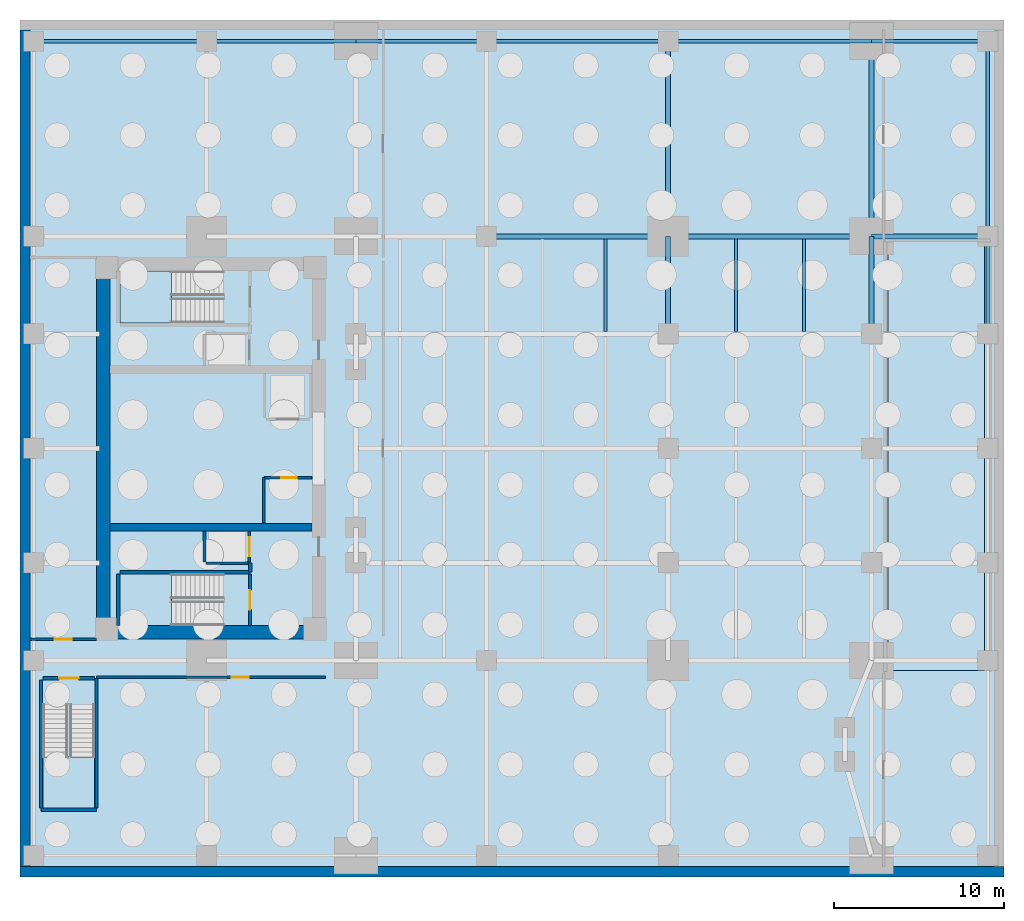
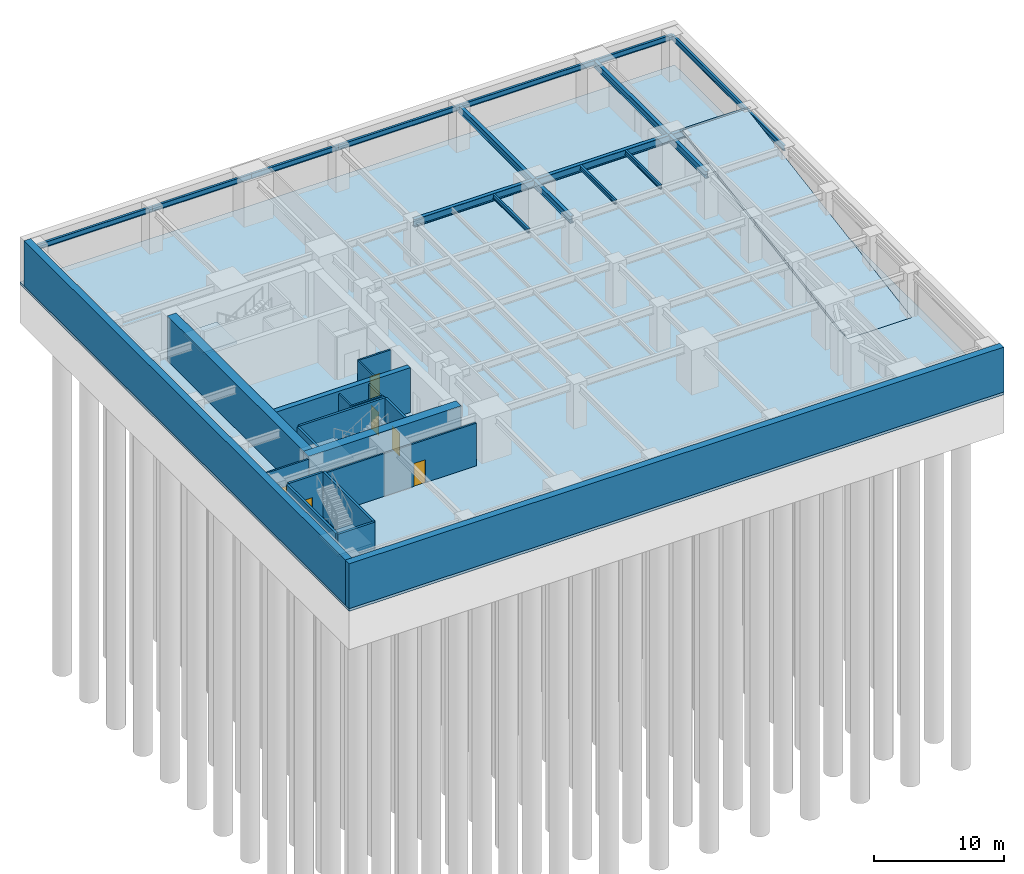
# One storey, part 3 of 6: 20 walls, 18 beams, 6 doors, 5 slabs, 6 openings, 3 elements without a shape of their own.
"""IFC4 building model written with IfcOpenShell, lengths in metres."""

from ifc_helpers import new_model, si_unit, direction, frame, frame_2d, origin, origin_2d, place, context, subcontext, project, spatial, polyline, rectangle, i_section, outline, extrude, material, layer, layer_set, material_profile, profile_set, type_object, element, fill, aggregate, save


model = new_model("IFC4")

# Units and contexts
model_context = context("Model", 3, precision=1e-05, world=origin(), true_north=direction((0.0, 1.0)))
body_context = subcontext(model_context, "Body", "Model", "MODEL_VIEW")
ifc_project = project(units=[si_unit("LENGTHUNIT", "METRE"), si_unit("AREAUNIT", "SQUARE_METRE"), si_unit("VOLUMEUNIT", "CUBIC_METRE"), si_unit("PLANEANGLEUNIT", "RADIAN"), si_unit("MASSUNIT", "GRAM", prefix="KILO")], contexts=[model_context])

# Site, building, storey
site_placement = place(None, origin())
site = spatial("IfcSite", under=ifc_project, at=site_placement, CompositionType="ELEMENT")
building_placement = place(site_placement, origin())
building = spatial("IfcBuilding", under=site, at=building_placement, Name="Kinhvarn Gate Tower", CompositionType="ELEMENT")
storey_placement = place(building_placement, frame((0.0, 0.0, -13.199951171875)))
storey = spatial("IfcBuildingStorey", under=building, at=storey_placement, Name="B03", CompositionType="ELEMENT", Elevation=-13.199951171875)

# Beams
ifc_material_1 = material(Name="Steel S355", Category="steel")
ifc_material_profile_1 = material_profile(ifc_material_1, i_section(OverallWidth=0.300048828125, OverallDepth=0.64990234375, WebThickness=0.01611328125, FlangeThickness=0.031005859375, at=origin_2d()), Name="HEB 650")
ifc_profile_set_1 = profile_set([ifc_material_profile_1], Name="Steel S355")
beam_type_1 = type_object("IfcBeamType", Name="STL-HEB650", PredefinedType="BEAM", material=ifc_profile_set_1)
beam_1_placement = place(storey_placement, frame((50.199951171875, 32.0, 3.675048828125), z_axis=(0.0, 1.0, 0.0), x_axis=(-1.0, 0.0, 0.0)))
element("IfcBeam", 1, at=beam_1_placement, inside=storey, type_object=beam_type_1, Name="Floor Beam PG-17 (B03 APE-5)", PredefinedType="BEAM", context=body_context, shape_type="SweptSolid", body=[
    extrude(i_section(OverallWidth=0.300048828125, OverallDepth=0.64990234375, WebThickness=0.01611328125, FlangeThickness=0.031005859375, at=origin_2d()), origin(), (0.0, 0.0, 1.0), 5.75),
])
for number, where, z_axis, x_axis, name in (
    (2, (50.199951171875, 37.75, 3.675048828125), (0.0, 1.0, 0.0), (-1.0, 0.0, 0.0), "Floor Beam PG-17 (B03 APE-6)"),
    (3, (38.199951171875, 37.75, 3.675048828125), (0.0, 1.0, 0.0), (-1.0, 0.0, 0.0), "Floor Beam PG-17 (B03 NS38-N)"),
):
    element("IfcBeam", number, at=place(storey_placement, frame(where, z_axis=z_axis, x_axis=x_axis)), inside=storey, type_object=beam_type_1, Name=name, PredefinedType="BEAM", context=body_context, shape_type="SweptSolid", body=[
        extrude(i_section(OverallWidth=0.300048828125, OverallDepth=0.64990234375, WebThickness=0.01611328125, FlangeThickness=0.031005859375, at=origin_2d()), origin(), (0.0, 0.0, 1.0), 11.5),
    ])
beam_2_placement = place(storey_placement, frame((38.199951171875, 32.0, 3.675048828125), z_axis=(0.0, 1.0, 0.0), x_axis=(-1.0, 0.0, 0.0)))
element("IfcBeam", 4, at=beam_2_placement, inside=storey, type_object=beam_type_1, Name="Floor Beam PG-17 (B03 NS38-32)", PredefinedType="BEAM", context=body_context, shape_type="SweptSolid", body=[
    extrude(i_section(OverallWidth=0.300048828125, OverallDepth=0.64990234375, WebThickness=0.01611328125, FlangeThickness=0.031005859375, at=origin_2d()), origin(), (0.0, 0.0, 1.0), 5.75),
])
ifc_material_profile_2 = material_profile(ifc_material_1, i_section(OverallWidth=0.300048828125, OverallDepth=0.699951171875, WebThickness=0.01708984375, FlangeThickness=0.031982421875, at=origin_2d()), Name="HEB 700")
ifc_profile_set_2 = profile_set([ifc_material_profile_2], Name="Steel S355")
beam_type_2 = type_object("IfcBeamType", Name="STL-HEB700", PredefinedType="BEAM", material=ifc_profile_set_2)
beam_3_placement = place(storey_placement, frame((50.199951171875, 37.75, 3.64990234375), z_axis=(1.0, 0.0, 0.0), x_axis=(0.0, 1.0, 0.0)))
element("IfcBeam", 5, at=beam_3_placement, inside=storey, type_object=beam_type_2, Name="Floor Beam PG-18 (B03 SPN-E)", PredefinedType="BEAM", context=body_context, shape_type="SweptSolid", body=[
    extrude(i_section(OverallWidth=0.300048828125, OverallDepth=0.699951171875, WebThickness=0.01708984375, FlangeThickness=0.031982421875, at=origin_2d()), origin(), (0.0, 0.0, 1.0), 6.85009765625),
])
beam_4_placement = place(storey_placement, frame((27.5, 37.75, 3.64990234375), z_axis=(1.0, 0.0, 0.0), x_axis=(0.0, 1.0, 0.0)))
element("IfcBeam", 6, at=beam_4_placement, inside=storey, type_object=beam_type_2, Name="Floor Beam PG-18 (B03 BM-N2)", PredefinedType="BEAM", context=body_context, shape_type="SweptSolid", body=[
    extrude(i_section(OverallWidth=0.300048828125, OverallDepth=0.699951171875, WebThickness=0.01708984375, FlangeThickness=0.031982421875, at=origin_2d()), origin(), (0.0, 0.0, 1.0), 10.699951171875),
])
beam_5_placement = place(storey_placement, frame((38.199951171875, 37.75, 3.64990234375), z_axis=(1.0, 0.0, 0.0), x_axis=(0.0, 1.0, 0.0)))
element("IfcBeam", 7, at=beam_5_placement, inside=storey, type_object=beam_type_2, Name="Floor Beam PG-18 (B03 BM-N3)", PredefinedType="BEAM", context=body_context, shape_type="SweptSolid", body=[
    extrude(i_section(OverallWidth=0.300048828125, OverallDepth=0.699951171875, WebThickness=0.01708984375, FlangeThickness=0.031982421875, at=origin_2d()), origin(), (0.0, 0.0, 1.0), 12.0),
])
ifc_material_profile_3 = material_profile(ifc_material_1, i_section(OverallWidth=0.179931640625, OverallDepth=0.39990234375, WebThickness=0.008544921875, FlangeThickness=0.013427734375, at=origin_2d()), Name="IPE 400")
ifc_profile_set_3 = profile_set([ifc_material_profile_3], Name="Steel S355")
beam_type_3 = type_object("IfcBeamType", Name="STL-IPE400", PredefinedType="JOIST", material=ifc_profile_set_3)
for number, where, z_axis, x_axis, name in (
    (8, (34.5, 32.14990234375, 3.800048828125), (0.0, 1.0, 0.0), (-1.0, 0.0, 0.0), "Floor Joist SB-05 (B03 J345-32)"),
    (9, (42.199951171875, 32.14990234375, 3.800048828125), (0.0, 1.0, 0.0), (-1.0, 0.0, 0.0), "Floor Joist SB-05 (B03 J422-32)"),
    (10, (46.199951171875, 32.14990234375, 3.800048828125), (0.0, 1.0, 0.0), (-1.0, 0.0, 0.0), "Floor Joist SB-05 (B03 J462-32)"),
):
    element("IfcBeam", number, at=place(storey_placement, frame(where, z_axis=z_axis, x_axis=x_axis)), inside=storey, type_object=beam_type_3, Name=name, PredefinedType="JOIST", context=body_context, shape_type="SweptSolid", body=[
        extrude(i_section(OverallWidth=0.179931640625, OverallDepth=0.39990234375, WebThickness=0.008544921875, FlangeThickness=0.013427734375, at=origin_2d()), origin(), (0.0, 0.0, 1.0), 5.4501953125),
    ])
ifc_material_profile_4 = material_profile(ifc_material_1, i_section(OverallWidth=0.199951171875, OverallDepth=0.5, WebThickness=0.01025390625, FlangeThickness=0.01611328125, at=origin_2d()), Name="IPE 500")
ifc_profile_set_4 = profile_set([ifc_material_profile_4], Name="Steel S355")
beam_type_4 = type_object("IfcBeamType", Name="STL-IPE500", PredefinedType="SPANDREL", material=ifc_profile_set_4)
beam_6_placement = place(storey_placement, frame((57.050048828125, 32.0, 3.75), z_axis=(0.0, 1.0, 0.0), x_axis=(-1.0, 0.0, 0.0)))
element("IfcBeam", 11, at=beam_6_placement, inside=storey, type_object=beam_type_4, Name="Floor Spandrel SB-07 (B03 PERE-5)", PredefinedType="SPANDREL", context=body_context, shape_type="SweptSolid", body=[
    extrude(i_section(OverallWidth=0.199951171875, OverallDepth=0.5, WebThickness=0.01025390625, FlangeThickness=0.01611328125, at=origin_2d()), origin(), (0.0, 0.0, 1.0), 5.75),
])
beam_7_placement = place(storey_placement, frame((57.050048828125, 37.75, 3.75), z_axis=(0.0, 1.0, 0.0), x_axis=(-1.0, 0.0, 0.0)))
element("IfcBeam", 12, at=beam_7_placement, inside=storey, type_object=beam_type_4, Name="Floor Spandrel SB-07 (B03 PERE-6)", PredefinedType="SPANDREL", context=body_context, shape_type="SweptSolid", body=[
    extrude(i_section(OverallWidth=0.199951171875, OverallDepth=0.5, WebThickness=0.01025390625, FlangeThickness=0.01611328125, at=origin_2d()), origin(), (0.0, 0.0, 1.0), 11.5),
])
beam_8_placement = place(storey_placement, frame((0.800048828125, 49.25, 3.75), z_axis=(1.0, 0.0, 0.0), x_axis=(0.0, 1.0, 0.0)))
element("IfcBeam", 13, at=beam_8_placement, inside=storey, type_object=beam_type_4, Name="Floor Spandrel SB-07 (B03 SP-POD-NW1)", PredefinedType="SPANDREL", context=body_context, shape_type="SweptSolid", body=[
    extrude(i_section(OverallWidth=0.199951171875, OverallDepth=0.5, WebThickness=0.01025390625, FlangeThickness=0.01611328125, at=origin_2d()), origin(), (0.0, 0.0, 1.0), 10.199951171875),
])
beam_9_placement = place(storey_placement, frame((11.0, 49.25, 3.75), z_axis=(1.0, 0.0, 0.0), x_axis=(0.0, 1.0, 0.0)))
element("IfcBeam", 14, at=beam_9_placement, inside=storey, type_object=beam_type_4, Name="Floor Spandrel SB-07 (B03 SP-POD-NW2)", PredefinedType="SPANDREL", context=body_context, shape_type="SweptSolid", body=[
    extrude(i_section(OverallWidth=0.199951171875, OverallDepth=0.5, WebThickness=0.01025390625, FlangeThickness=0.01611328125, at=origin_2d()), origin(), (0.0, 0.0, 1.0), 8.800048828125),
])
beam_10_placement = place(storey_placement, frame((50.199951171875, 49.25, 3.75), z_axis=(1.0, 0.0, 0.0), x_axis=(0.0, 1.0, 0.0)))
element("IfcBeam", 15, at=beam_10_placement, inside=storey, type_object=beam_type_4, Name="Floor Spandrel SB-07 (B03 SP-POD-NE)", PredefinedType="SPANDREL", context=body_context, shape_type="SweptSolid", body=[
    extrude(i_section(OverallWidth=0.199951171875, OverallDepth=0.5, WebThickness=0.01025390625, FlangeThickness=0.01611328125, at=origin_2d()), origin(), (0.0, 0.0, 1.0), 6.85009765625),
])
beam_11_placement = place(storey_placement, frame((19.800048828125, 49.25, 3.75), z_axis=(1.0, 0.0, 0.0), x_axis=(0.0, 1.0, 0.0)))
element("IfcBeam", 16, at=beam_11_placement, inside=storey, type_object=beam_type_4, Name="Floor Spandrel SB-07 (B03 BN-SP1)", PredefinedType="SPANDREL", context=body_context, shape_type="SweptSolid", body=[
    extrude(i_section(OverallWidth=0.199951171875, OverallDepth=0.5, WebThickness=0.01025390625, FlangeThickness=0.01611328125, at=origin_2d()), origin(), (0.0, 0.0, 1.0), 7.699951171875),
])
beam_12_placement = place(storey_placement, frame((27.5, 49.25, 3.75), z_axis=(1.0, 0.0, 0.0), x_axis=(0.0, 1.0, 0.0)))
element("IfcBeam", 17, at=beam_12_placement, inside=storey, type_object=beam_type_4, Name="Floor Spandrel SB-07 (B03 BN-SP2)", PredefinedType="SPANDREL", context=body_context, shape_type="SweptSolid", body=[
    extrude(i_section(OverallWidth=0.199951171875, OverallDepth=0.5, WebThickness=0.01025390625, FlangeThickness=0.01611328125, at=origin_2d()), origin(), (0.0, 0.0, 1.0), 10.699951171875),
])
beam_13_placement = place(storey_placement, frame((38.199951171875, 49.25, 3.75), z_axis=(1.0, 0.0, 0.0), x_axis=(0.0, 1.0, 0.0)))
element("IfcBeam", 18, at=beam_13_placement, inside=storey, type_object=beam_type_4, Name="Floor Spandrel SB-07 (B03 BN-SP3)", PredefinedType="SPANDREL", context=body_context, shape_type="SweptSolid", body=[
    extrude(i_section(OverallWidth=0.199951171875, OverallDepth=0.5, WebThickness=0.01025390625, FlangeThickness=0.01611328125, at=origin_2d()), origin(), (0.0, 0.0, 1.0), 12.0),
])

# Slabs
ifc_material_2 = material(Name="Concrete C40/50", Category="concrete")
ifc_layer_1 = layer(ifc_material_2, 0.25)
ifc_layer_set_1 = layer_set([ifc_layer_1], Name="Concrete C40/50")
slab_type_1 = type_object("IfcSlabType", Name="SLB-BASE-250", PredefinedType="BASESLAB", material=ifc_layer_set_1)
slab_1_placement = place(storey_placement, frame((0.0, 0.0, -0.25)))
element("IfcSlab", 19, at=slab_1_placement, inside=storey, type_object=slab_type_1, Name="Basement B03 Structural Base Slab BS-250 (250 mm)", PredefinedType="BASESLAB", context=body_context, shape_type="SweptSolid", body=[
    extrude(outline(polyline([(0.0, 0.0), (58.0, 0.0), (58.0, 50.5), (0.0, 50.5), (0.0, 0.0)]), holes=[polyline([(51.14990234375, 12.14990234375), (56.85009765625, 12.14990234375), (56.85009765625, 13.719970703125), (51.14990234375, 13.719970703125), (51.14990234375, 12.14990234375)])]), origin(), (0.0, 0.0, 1.0), 0.25),
])
ifc_material_3 = material(Name="Concrete C50/60", Category="concrete")
ifc_layer_2 = layer(ifc_material_3, 0.25)
ifc_layer_set_2 = layer_set([ifc_layer_2], Name="Concrete C50/60")
slab_type_2 = type_object("IfcSlabType", Name="SLB-RMP-250", PredefinedType="FLOOR", material=ifc_layer_set_2)
slab_2_placement = place(storey_placement, frame((51.14990234375, 12.14990234375, 0.0), z_axis=(0.0, -0.16376448943, 0.986499463762), x_axis=(1.0, 0.0, 0.0)))
element("IfcSlab", 20, at=slab_2_placement, inside=storey, type_object=slab_type_2, Name="Basement Car Park Vehicle Ramp Slab VR-01 (B03)", PredefinedType="FLOOR", context=body_context, shape_type="SweptSolid", body=[
    extrude(outline(polyline([(0.0, 0.0), (5.7001953125, 0.0), (5.7001953125, 25.646240234375), (0.0, 25.646240234375), (0.0, 0.0)])), origin(), (0.0, 0.0, -1.0), 0.25),
])

# Stair, slab
stair_type = type_object("IfcStairType", Name="STR-DLG-175", PredefinedType="HALF_TURN_STAIR", material=ifc_material_2)
stair_1_placement = place(storey_placement, origin())
stair_1 = element("IfcStair", 21, at=stair_1_placement, inside=storey, type_object=stair_type, Name="B03 Core Smokeproof Exit Stair ST1", PredefinedType="HALF_TURN_STAIR")
ifc_layer_3 = layer(ifc_material_2, 0.199951171875)
ifc_layer_set_3 = layer_set([ifc_layer_3], Name="Concrete C40/50")
slab_type_3 = type_object("IfcSlabType", Name="SLB-ST-LND", PredefinedType="LANDING", material=ifc_layer_set_3)
slab_3_placement = place(storey_placement, frame((0.0, 0.0, 1.89990234375)))
slab_3 = element("IfcSlab", 22, at=slab_3_placement, type_object=slab_type_3, Name="ST1 landing 1", PredefinedType="LANDING", context=body_context, shape_type="SweptSolid", body=[
    extrude(outline(polyline([(8.919921875, 17.85009765625), (5.89990234375, 17.85009765625), (5.89990234375, 14.800048828125), (8.919921875, 14.800048828125), (8.919921875, 17.85009765625)])), origin(), (0.0, 0.0, 1.0), 0.199951171875),
])
aggregate(stair_1, [slab_3])

stair_2_placement = place(storey_placement, origin())
stair_2 = element("IfcStair", 23, at=stair_2_placement, inside=storey, type_object=stair_type, Name="B03 Core Smokeproof Exit Stair ST2", PredefinedType="HALF_TURN_STAIR")
slab_4_placement = place(storey_placement, frame((0.0, 0.0, 1.89990234375)))
slab_4 = element("IfcSlab", 24, at=slab_4_placement, type_object=slab_type_3, Name="ST2 landing 1", PredefinedType="LANDING", context=body_context, shape_type="SweptSolid", body=[
    extrude(outline(polyline([(8.919921875, 35.699951171875), (5.89990234375, 35.699951171875), (5.89990234375, 32.64990234375), (8.919921875, 32.64990234375), (8.919921875, 35.699951171875)])), origin(), (0.0, 0.0, 1.0), 0.199951171875),
])
aggregate(stair_2, [slab_4])

stair_3_placement = place(storey_placement, origin())
stair_3 = element("IfcStair", 25, at=stair_3_placement, inside=storey, type_object=stair_type, Name="B03 Podium & Basement Protected Exit Stair ST3", PredefinedType="HALF_TURN_STAIR")
slab_5_placement = place(storey_placement, frame((0.0, 0.0, 1.89990234375)))
slab_5 = element("IfcSlab", 26, at=slab_5_placement, type_object=slab_type_3, Name="ST3 landing 1", PredefinedType="LANDING", context=body_context, shape_type="SweptSolid", body=[
    extrude(outline(polyline([(1.35009765625, 7.070068359375), (1.35009765625, 4.050048828125), (4.39990234375, 4.050048828125), (4.39990234375, 7.070068359375), (1.35009765625, 7.070068359375)])), origin(), (0.0, 0.0, 1.0), 0.199951171875),
])
aggregate(stair_3, [slab_5])

# Walls
ifc_layer_4 = layer(ifc_material_3, 0.449951171875)
ifc_layer_set_4 = layer_set([ifc_layer_4], Name="Concrete C50/60")
wall_type_1 = type_object("IfcWallType", Name="WL-CORE-450", PredefinedType="SHEAR", material=ifc_layer_set_4)
wall_1_placement = place(storey_placement, frame((5.300048828125, 20.60009765625, 0.0), z_axis=(0.0, 0.0, 1.0), x_axis=(1.0, 0.0, 0.0)))
element("IfcWall", 27, at=wall_1_placement, inside=storey, type_object=wall_type_1, Name="Core South Spine Shear Wall B03 450 mm", PredefinedType="SHEAR", context=body_context, shape_type="SweptSolid", body=[
    extrude(rectangle(XDim=11.89990234375, YDim=0.449951171875, at=frame_2d((5.949951171875, 0.0))), origin(), (0.0, 0.0, 1.0), 4.199951171875),
])
ifc_material_4 = material(Name="Concrete C70/85", Category="concrete")
ifc_layer_5 = layer(ifc_material_4, 0.800048828125)
ifc_layer_set_5 = layer_set([ifc_layer_5], Name="Concrete C70/85")
wall_type_2 = type_object("IfcWallType", Name="WL-CORE-800", PredefinedType="SHEAR", material=ifc_layer_set_5)
wall_2_placement = place(storey_placement, frame((4.5, 14.39990234375, 0.0), z_axis=(0.0, 0.0, 1.0), x_axis=(1.0, 0.0, 0.0)))
element("IfcWall", 28, at=wall_2_placement, inside=storey, type_object=wall_type_2, Name="Core South Shear Wall B03 800 mm", PredefinedType="SHEAR", context=body_context, shape_type="SweptSolid", body=[
    extrude(rectangle(XDim=13.5, YDim=0.800048828125, at=frame_2d((6.75, 0.0))), origin(), (0.0, 0.0, 1.0), 4.199951171875),
])
wall_3_placement = place(storey_placement, frame((4.89990234375, 14.800048828125, 0.0), z_axis=(0.0, 0.0, 1.0), x_axis=(0.0, 1.0, 0.0)))
element("IfcWall", 29, at=wall_3_placement, inside=storey, type_object=wall_type_2, Name="Core West Shear Wall B03 800 mm", PredefinedType="SHEAR", context=body_context, shape_type="SweptSolid", body=[
    extrude(rectangle(XDim=20.89990234375, YDim=0.800048828125, at=frame_2d((10.449951171875, 0.0))), origin(), (0.0, 0.0, 1.0), 4.199951171875),
])
ifc_material_5 = material(Name="Gypsum acoustic partition board")
ifc_layer_6 = layer(ifc_material_5, 0.14990234375)
ifc_layer_set_6 = layer_set([ifc_layer_6], Name="Gypsum acoustic partition board")
wall_type_3 = type_object("IfcWallType", Name="WL-PRT-150F", PredefinedType="PARTITIONING", material=ifc_layer_set_6)
wall_4_placement = place(storey_placement, frame((14.3798828125, 20.85009765625, 0.0), z_axis=(0.0, 0.0, 1.0), x_axis=(0.0, 1.0, 0.0)))
element("IfcWall", 30, at=wall_4_placement, inside=storey, type_object=wall_type_3, Name="Interior Partition PW-150F (B03)", PredefinedType="PARTITIONING", context=body_context, shape_type="SweptSolid", body=[
    extrude(rectangle(XDim=2.669921875, YDim=0.14990234375, at=frame_2d((1.3349609375, 0.0))), origin(), (0.0, 0.0, 1.0), 4.0),
])

# Wall, opening, door
wall_5_placement = place(storey_placement, frame((14.3798828125, 23.52001953125, 0.0), z_axis=(0.0, 0.0, 1.0), x_axis=(1.0, 0.0, 0.0)))
wall_5 = element("IfcWall", 31, at=wall_5_placement, inside=storey, type_object=wall_type_3, Name="Interior Partition PW-150F (B03)", PredefinedType="PARTITIONING", context=body_context, shape_type="SweptSolid", body=[
    extrude(rectangle(XDim=2.840087890625, YDim=0.14990234375, at=frame_2d((1.419921875, 0.0))), origin(), (0.0, 0.0, 1.0), 4.0),
])
opening_1_placement = place(wall_5_placement, frame((1.02685546875, 0.0, 0.0)))
opening_1 = element("IfcOpeningElement", 32, at=opening_1_placement, cuts=wall_5, Name="Opening FD-04", PredefinedType="OPENING", context=body_context, shape_type="SweptSolid", body=[
    extrude(rectangle(XDim=0.89990234375, YDim=2.10009765625, at=frame_2d((0.449951171875, 1.050048828125))), frame((0.0, 0.0849609375, 0.0), z_axis=(0.0, -1.0, 0.0), x_axis=(1.0, 0.0, 0.0)), (0.0, 0.0, 1.0), 0.169921875),
])
ifc_material_6 = material(Name="Anodised aluminium AW-6063", Category="aluminium")
door_type_1 = type_object("IfcDoorType", Name="DR-FD-900", OperationType="NOTDEFINED", PredefinedType="DOOR", material=ifc_material_6)
door_1_placement = place(opening_1_placement, origin())
door_1 = element("IfcDoor", 33, at=door_1_placement, inside=storey, type_object=door_type_1, Name="Rated Riser & Service Closet Fire Door 900x2100 mm (B03)", OperationType="SINGLE_SWING_RIGHT", OverallHeight=2.10009765625, OverallWidth=0.89990234375, PredefinedType="DOOR", context=body_context, shape_type="SweptSolid", body=[
    extrude(rectangle(XDim=0.89990234375, YDim=2.10009765625, at=frame_2d((0.449951171875, 1.050048828125))), frame((0.0, 0.02490234375, 0.0), z_axis=(0.0, -1.0, 0.0), x_axis=(1.0, 0.0, 0.0)), (0.0, 0.0, 1.0), 0.050048828125),
])
fill(opening_1, door_1)

wall_6_placement = place(storey_placement, frame((4.52001953125, 11.75, 0.0), z_axis=(0.0, 0.0, 1.0), x_axis=(1.0, 0.0, 0.0)))
wall_6 = element("IfcWall", 34, at=wall_6_placement, inside=storey, type_object=wall_type_3, Name="Interior Partition PW-150F (B03)", PredefinedType="PARTITIONING", context=body_context, shape_type="SweptSolid", body=[
    extrude(rectangle(XDim=13.47998046875, YDim=0.14990234375, at=frame_2d((6.739990234375, 0.0))), origin(), (0.0, 0.0, 1.0), 4.0),
])
opening_2_placement = place(wall_6_placement, frame((7.9609375, 0.0, 0.0)))
opening_2 = element("IfcOpeningElement", 35, at=opening_2_placement, cuts=wall_6, Name="Opening FD-03", PredefinedType="OPENING", context=body_context, shape_type="SweptSolid", body=[
    extrude(rectangle(XDim=1.0, YDim=2.14990234375, at=frame_2d((0.5, 1.074951171875))), frame((0.0, 0.0849609375, 0.0), z_axis=(0.0, -1.0, 0.0), x_axis=(1.0, 0.0, 0.0)), (0.0, 0.0, 1.0), 0.169921875),
])
door_type_2 = type_object("IfcDoorType", Name="DR-FD-1000", OperationType="NOTDEFINED", PredefinedType="DOOR", material=ifc_material_6)
door_2_placement = place(opening_2_placement, origin())
door_2 = element("IfcDoor", 36, at=door_2_placement, inside=storey, type_object=door_type_2, Name="Rated Plant & Corridor Fire Door 1000x2150 mm (B03)", OperationType="SINGLE_SWING_RIGHT", OverallHeight=2.14990234375, OverallWidth=1.0, PredefinedType="DOOR", context=body_context, shape_type="SweptSolid", body=[
    extrude(rectangle(XDim=1.0, YDim=2.14990234375, at=frame_2d((0.5, 1.074951171875))), frame((0.0, 0.02490234375, 0.0), z_axis=(0.0, -1.0, 0.0), x_axis=(1.0, 0.0, 0.0)), (0.0, 0.0, 1.0), 0.050048828125),
])
fill(opening_2, door_2)

wall_7_placement = place(storey_placement, frame((0.60009765625, 14.0, 0.0), z_axis=(0.0, 0.0, 1.0), x_axis=(1.0, 0.0, 0.0)))
wall_7 = element("IfcWall", 37, at=wall_7_placement, inside=storey, type_object=wall_type_3, Name="Interior Partition PW-150F (B03)", PredefinedType="PARTITIONING", context=body_context, shape_type="SweptSolid", body=[
    extrude(rectangle(XDim=3.89990234375, YDim=0.14990234375, at=frame_2d((1.949951171875, 0.0))), origin(), (0.0, 0.0, 1.0), 4.0),
])
opening_3_placement = place(wall_7_placement, frame((1.449951171875, 0.0, 0.0)))
opening_3 = element("IfcOpeningElement", 38, at=opening_3_placement, cuts=wall_7, Name="Opening FD-03", PredefinedType="OPENING", context=body_context, shape_type="SweptSolid", body=[
    extrude(rectangle(XDim=1.0, YDim=2.14990234375, at=frame_2d((0.5, 1.074951171875))), frame((0.0, 0.0849609375, 0.0), z_axis=(0.0, -1.0, 0.0), x_axis=(1.0, 0.0, 0.0)), (0.0, 0.0, 1.0), 0.169921875),
])
door_3_placement = place(opening_3_placement, origin())
door_3 = element("IfcDoor", 39, at=door_3_placement, inside=storey, type_object=door_type_2, Name="Rated Plant & Corridor Fire Door 1000x2150 mm (B03)", OperationType="SINGLE_SWING_LEFT", OverallHeight=2.14990234375, OverallWidth=1.0, PredefinedType="DOOR", context=body_context, shape_type="SweptSolid", body=[
    extrude(rectangle(XDim=1.0, YDim=2.14990234375, at=frame_2d((0.5, 1.074951171875))), frame((0.0, 0.02490234375, 0.0), z_axis=(0.0, -1.0, 0.0), x_axis=(1.0, 0.0, 0.0)), (0.0, 0.0, 1.0), 0.050048828125),
])
fill(opening_3, door_3)

# Walls
ifc_layer_7 = layer(ifc_material_5, 0.199951171875)
ifc_layer_set_7 = layer_set([ifc_layer_7], Name="Gypsum acoustic partition board")
wall_type_4 = type_object("IfcWallType", Name="WL-PRT-200", PredefinedType="PARTITIONING", material=ifc_layer_set_7)
wall_8_placement = place(storey_placement, frame((13.580078125, 17.9599609375, 0.0), z_axis=(0.0, 0.0, 1.0), x_axis=(0.0, 1.0, 0.0)))
element("IfcWall", 40, at=wall_8_placement, inside=storey, type_object=wall_type_4, Name="Interior Partition PW-200 (B03)", PredefinedType="PARTITIONING", context=body_context, shape_type="SweptSolid", body=[
    extrude(rectangle(XDim=0.5400390625, YDim=0.199951171875, at=frame_2d((0.27001953125, 0.0))), origin(), (0.0, 0.0, 1.0), 4.0),
])
ifc_layer_8 = layer(ifc_material_3, 0.60009765625)
ifc_layer_set_8 = layer_set([ifc_layer_8], Name="Concrete C50/60")
wall_type_5 = type_object("IfcWallType", Name="WL-RET-600", PredefinedType="USERDEFINED", material=ifc_layer_set_8)
wall_9_placement = place(storey_placement, frame((0.0, 0.300048828125, 0.0), z_axis=(0.0, 0.0, 1.0), x_axis=(1.0, 0.0, 0.0)))
element("IfcWall", 41, at=wall_9_placement, inside=storey, type_object=wall_type_5, Name="South Diaphragm Retaining Wall B03 600 mm", ObjectType="RETAININGWALL", PredefinedType="USERDEFINED", context=body_context, shape_type="SweptSolid", body=[
    extrude(rectangle(XDim=58.0, YDim=0.60009765625, at=frame_2d((29.0, 0.0))), origin(), (0.0, 0.0, 1.0), 4.199951171875),
])
wall_10_placement = place(storey_placement, frame((0.300048828125, 0.60009765625, 0.0), z_axis=(0.0, 0.0, 1.0), x_axis=(0.0, 1.0, 0.0)))
element("IfcWall", 42, at=wall_10_placement, inside=storey, type_object=wall_type_5, Name="West Diaphragm Retaining Wall B03 600 mm", ObjectType="RETAININGWALL", PredefinedType="USERDEFINED", context=body_context, shape_type="SweptSolid", body=[
    extrude(rectangle(XDim=49.2998046875, YDim=0.60009765625, at=frame_2d((24.64990234375, 0.0))), origin(), (0.0, 0.0, 1.0), 4.199951171875),
])
ifc_layer_9 = layer(ifc_material_5, 0.14990234375)
ifc_layer_set_9 = layer_set([ifc_layer_9], Name="Gypsum acoustic partition board")
wall_type_6 = type_object("IfcWallType", Name="WL-SHF-150", PredefinedType="PARTITIONING", material=ifc_layer_set_9)
wall_11_placement = place(storey_placement, frame((10.949951171875, 18.47509765625, 0.0), z_axis=(0.0, 0.0, 1.0), x_axis=(1.0, 0.0, 0.0)))
element("IfcWall", 43, at=wall_11_placement, inside=storey, type_object=wall_type_6, Name="Elevator FF1 Hoistway Wall S (B03)", PredefinedType="PARTITIONING", context=body_context, shape_type="SweptSolid", body=[
    extrude(rectangle(XDim=2.5, YDim=0.14990234375, at=frame_2d((1.25, 0.0))), origin(), (0.0, 0.0, 1.0), 4.0),
])
wall_12_placement = place(storey_placement, frame((10.875, 18.550048828125, 0.0), z_axis=(0.0, 0.0, 1.0), x_axis=(0.0, 1.0, 0.0)))
element("IfcWall", 44, at=wall_12_placement, inside=storey, type_object=wall_type_6, Name="Elevator FF1 Hoistway Wall W (B03)", PredefinedType="PARTITIONING", context=body_context, shape_type="SweptSolid", body=[
    extrude(rectangle(XDim=1.800048828125, YDim=0.14990234375, at=frame_2d((0.89990234375, 0.0))), origin(), (0.0, 0.0, 1.0), 4.0),
])

# Wall, opening, door
wall_13_placement = place(storey_placement, frame((13.52490234375, 18.550048828125, 0.0), z_axis=(0.0, 0.0, 1.0), x_axis=(0.0, 1.0, 0.0)))
wall_13 = element("IfcWall", 45, at=wall_13_placement, inside=storey, type_object=wall_type_6, Name="Elevator FF1 Landing Wall (B03)", PredefinedType="PARTITIONING", context=body_context, shape_type="SweptSolid", body=[
    extrude(rectangle(XDim=1.800048828125, YDim=0.14990234375, at=frame_2d((0.89990234375, 0.0))), origin(), (0.0, 0.0, 1.0), 4.0),
])
opening_4_placement = place(wall_13_placement, frame((0.35009765625, 0.0, 0.0)))
opening_4 = element("IfcOpeningElement", 46, at=opening_4_placement, cuts=wall_13, Name="Opening LD-03", PredefinedType="OPENING", context=body_context, shape_type="SweptSolid", body=[
    extrude(rectangle(XDim=1.10009765625, YDim=2.199951171875, at=frame_2d((0.550048828125, 1.10009765625))), frame((0.0, 0.0849609375, 0.0), z_axis=(0.0, -1.0, 0.0), x_axis=(1.0, 0.0, 0.0)), (0.0, 0.0, 1.0), 0.169921875),
])
door_type_3 = type_object("IfcDoorType", Name="DR-LND-FF", OperationType="NOTDEFINED", PredefinedType="DOOR", material=ifc_material_6)
door_4_placement = place(opening_4_placement, origin())
door_4 = element("IfcDoor", 47, at=door_4_placement, inside=storey, type_object=door_type_3, Name="Elevator FF1 Sliding Landing Door (B03)", OperationType="DOUBLE_DOOR_SLIDING", OverallHeight=2.199951171875, OverallWidth=1.10009765625, PredefinedType="DOOR", context=body_context, shape_type="SweptSolid", body=[
    extrude(rectangle(XDim=1.10009765625, YDim=2.199951171875, at=frame_2d((0.550048828125, 1.10009765625))), frame((0.0, 0.02490234375, 0.0), z_axis=(0.0, -1.0, 0.0), x_axis=(1.0, 0.0, 0.0)), (0.0, 0.0, 1.0), 0.050048828125),
])
fill(opening_4, door_4)

# Walls
ifc_layer_10 = layer(ifc_material_2, 0.199951171875)
ifc_layer_set_10 = layer_set([ifc_layer_10], Name="Concrete C40/50")
wall_type_7 = type_object("IfcWallType", Name="WL-SHF-200", PredefinedType="SOLIDWALL", material=ifc_layer_set_10)
wall_14_placement = place(storey_placement, frame((5.7900390625, 14.800048828125, 0.0), z_axis=(0.0, 0.0, 1.0), x_axis=(0.0, 1.0, 0.0)))
element("IfcWall", 48, at=wall_14_placement, inside=storey, type_object=wall_type_7, Name="Stair ST1 West Shaft Wall (B03)", PredefinedType="SOLIDWALL", context=body_context, shape_type="SweptSolid", body=[
    extrude(rectangle(XDim=3.050048828125, YDim=0.199951171875, at=frame_2d((1.52490234375, 0.0))), origin(), (0.0, 0.0, 1.0), 4.199951171875),
])
wall_15_placement = place(storey_placement, frame((5.89990234375, 17.9599609375, 0.0), z_axis=(0.0, 0.0, 1.0), x_axis=(1.0, 0.0, 0.0)))
element("IfcWall", 49, at=wall_15_placement, inside=storey, type_object=wall_type_7, Name="Stair ST1 North Shaft Wall (B03)", PredefinedType="SOLIDWALL", context=body_context, shape_type="SweptSolid", body=[
    extrude(rectangle(XDim=7.66015625, YDim=0.199951171875, at=frame_2d((3.830078125, 0.0))), origin(), (0.0, 0.0, 1.0), 4.199951171875),
])

# Wall, opening, door
wall_16_placement = place(storey_placement, frame((13.56005859375, 14.800048828125, 0.0), z_axis=(0.0, 0.0, 1.0), x_axis=(0.0, 1.0, 0.0)))
wall_16 = element("IfcWall", 50, at=wall_16_placement, inside=storey, type_object=wall_type_7, Name="Stair ST1 East Entry Wall (B03)", PredefinedType="SOLIDWALL", context=body_context, shape_type="SweptSolid", body=[
    extrude(rectangle(XDim=3.050048828125, YDim=0.199951171875, at=frame_2d((1.52490234375, 0.0))), origin(), (0.0, 0.0, 1.0), 4.199951171875),
])
opening_5_placement = place(wall_16_placement, frame((0.949951171875, 0.0, 0.0)))
opening_5 = element("IfcOpeningElement", 51, at=opening_5_placement, cuts=wall_16, Name="Opening FD-01", PredefinedType="OPENING", context=body_context, shape_type="SweptSolid", body=[
    extrude(rectangle(XDim=1.14990234375, YDim=2.14990234375, at=frame_2d((0.574951171875, 1.074951171875))), frame((0.0, 0.10986328125, 0.0), z_axis=(0.0, -1.0, 0.0), x_axis=(1.0, 0.0, 0.0)), (0.0, 0.0, 1.0), 0.219970703125),
])
door_type_4 = type_object("IfcDoorType", Name="DR-ST-1150", OperationType="NOTDEFINED", PredefinedType="DOOR", material=ifc_material_6)
door_5_placement = place(opening_5_placement, origin())
door_5 = element("IfcDoor", 52, at=door_5_placement, inside=storey, type_object=door_type_4, Name="Exit Stair ST1 Fire Door (B03)", OperationType="SINGLE_SWING_LEFT", OverallHeight=2.14990234375, OverallWidth=1.14990234375, PredefinedType="DOOR", context=body_context, shape_type="SweptSolid", body=[
    extrude(rectangle(XDim=1.14990234375, YDim=2.14990234375, at=frame_2d((0.574951171875, 1.074951171875))), frame((0.0, 0.02490234375, 0.0), z_axis=(0.0, -1.0, 0.0), x_axis=(1.0, 0.0, 0.0)), (0.0, 0.0, 1.0), 0.050048828125),
])
fill(opening_5, door_5)

# Walls
wall_17_placement = place(storey_placement, frame((1.25, 3.949951171875, 0.0), z_axis=(0.0, 0.0, 1.0), x_axis=(1.0, 0.0, 0.0)))
element("IfcWall", 53, at=wall_17_placement, inside=storey, type_object=wall_type_7, Name="Stair ST3 South Shaft Wall (B03)", PredefinedType="SOLIDWALL", context=body_context, shape_type="SweptSolid", body=[
    extrude(rectangle(XDim=3.25, YDim=0.199951171875, at=frame_2d((1.625, 0.0))), origin(), (0.0, 0.0, 1.0), 4.199951171875),
])
wall_18_placement = place(storey_placement, frame((1.239990234375, 4.050048828125, 0.0), z_axis=(0.0, 0.0, 1.0), x_axis=(0.0, 1.0, 0.0)))
element("IfcWall", 54, at=wall_18_placement, inside=storey, type_object=wall_type_7, Name="Stair ST3 West Shaft Wall (B03)", PredefinedType="SOLIDWALL", context=body_context, shape_type="SweptSolid", body=[
    extrude(rectangle(XDim=7.550048828125, YDim=0.199951171875, at=frame_2d((3.77490234375, 0.0))), origin(), (0.0, 0.0, 1.0), 4.199951171875),
])
wall_19_placement = place(storey_placement, frame((4.510009765625, 4.050048828125, 0.0), z_axis=(0.0, 0.0, 1.0), x_axis=(0.0, 1.0, 0.0)))
element("IfcWall", 55, at=wall_19_placement, inside=storey, type_object=wall_type_7, Name="Stair ST3 East Shaft Wall (B03)", PredefinedType="SOLIDWALL", context=body_context, shape_type="SweptSolid", body=[
    extrude(rectangle(XDim=7.64990234375, YDim=0.199951171875, at=frame_2d((3.824951171875, 0.0))), origin(), (0.0, 0.0, 1.0), 4.199951171875),
])

# Wall, opening, door
wall_20_placement = place(storey_placement, frame((1.35009765625, 11.7099609375, 0.0), z_axis=(0.0, 0.0, 1.0), x_axis=(1.0, 0.0, 0.0)))
wall_20 = element("IfcWall", 56, at=wall_20_placement, inside=storey, type_object=wall_type_7, Name="Stair ST3 North Entry Wall (B03)", PredefinedType="SOLIDWALL", context=body_context, shape_type="SweptSolid", body=[
    extrude(rectangle(XDim=3.0498046875, YDim=0.199951171875, at=frame_2d((1.52490234375, 0.0))), origin(), (0.0, 0.0, 1.0), 4.199951171875),
])
opening_6_placement = place(wall_20_placement, frame((0.949951171875, 0.0, 0.0)))
opening_6 = element("IfcOpeningElement", 57, at=opening_6_placement, cuts=wall_20, Name="Opening FD-01", PredefinedType="OPENING", context=body_context, shape_type="SweptSolid", body=[
    extrude(rectangle(XDim=1.14990234375, YDim=2.14990234375, at=frame_2d((0.574951171875, 1.074951171875))), frame((0.0, 0.10986328125, 0.0), z_axis=(0.0, -1.0, 0.0), x_axis=(1.0, 0.0, 0.0)), (0.0, 0.0, 1.0), 0.219970703125),
])
door_6_placement = place(opening_6_placement, origin())
door_6 = element("IfcDoor", 58, at=door_6_placement, inside=storey, type_object=door_type_4, Name="Exit Stair ST3 Fire Door (B03)", OperationType="SINGLE_SWING_LEFT", OverallHeight=2.14990234375, OverallWidth=1.14990234375, PredefinedType="DOOR", context=body_context, shape_type="SweptSolid", body=[
    extrude(rectangle(XDim=1.14990234375, YDim=2.14990234375, at=frame_2d((0.574951171875, 1.074951171875))), frame((0.0, 0.02490234375, 0.0), z_axis=(0.0, -1.0, 0.0), x_axis=(1.0, 0.0, 0.0)), (0.0, 0.0, 1.0), 0.050048828125),
])
fill(opening_6, door_6)

save(model, "model.ifc")
